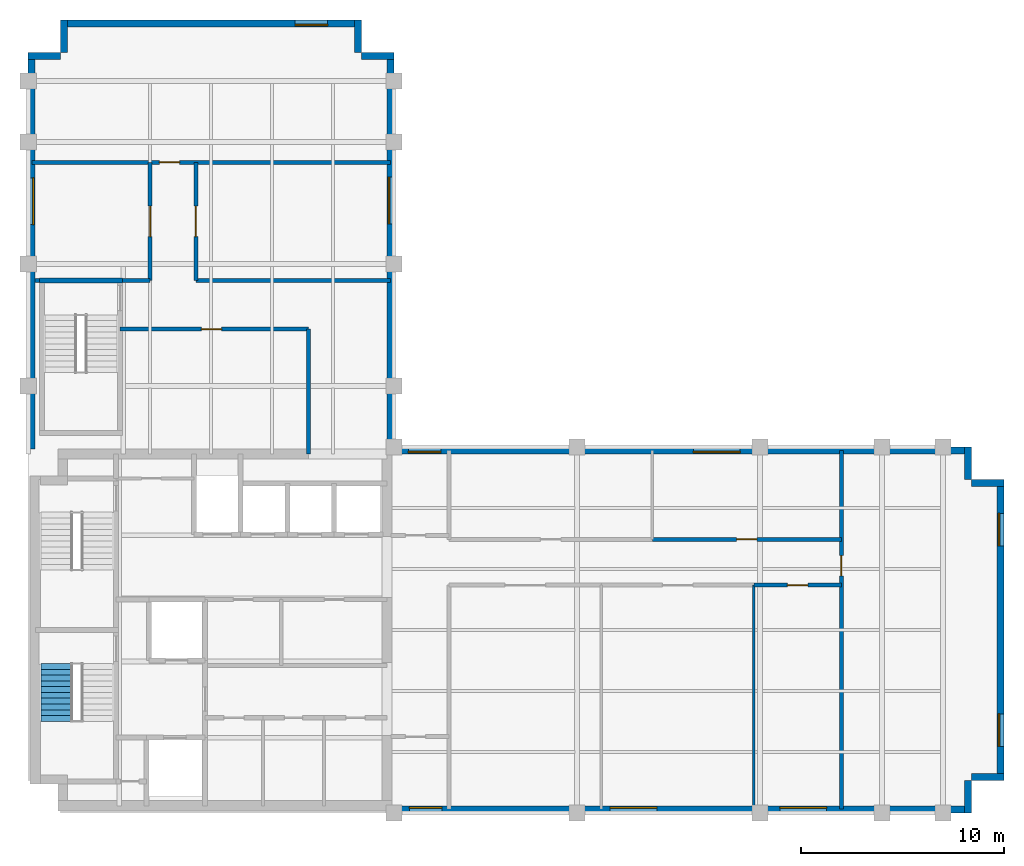
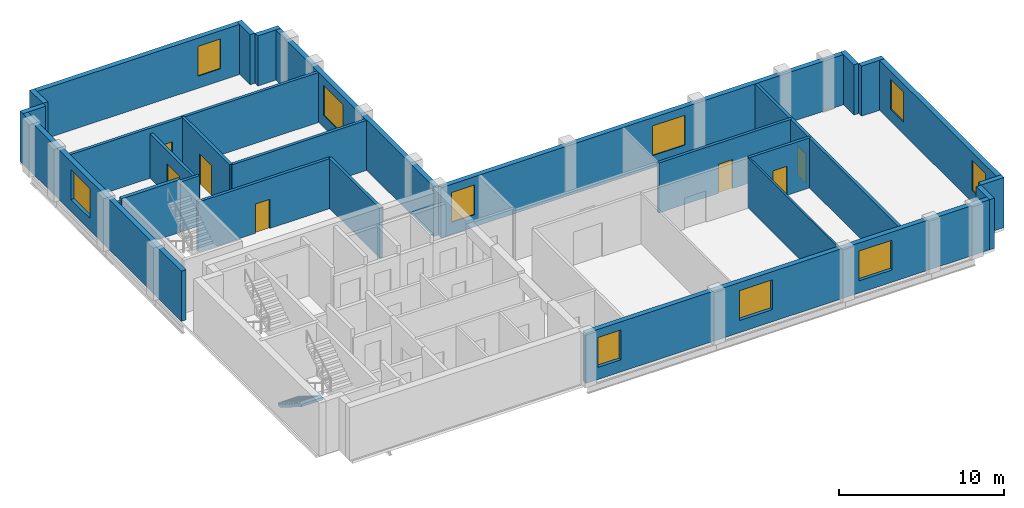
# One storey, part 4 of 6: 27 walls, 10 windows, 7 doors, 1 stair flight, 17 openings, 1 element without a shape of its own.
"""IFC4 building model written with IfcOpenShell, lengths in metres."""

from ifc_helpers import new_model, si_unit, direction, frame, frame_2d, origin, place, context, subcontext, project, spatial, polyline, rectangle, outline, extrude, material, layer, layer_set, type_object, element, fill, aggregate, save


model = new_model("IFC4")

# Units and contexts
model_context = context("Model", 3, precision=1e-05, world=origin(), true_north=direction((0.0, 1.0)))
body_context = subcontext(model_context, "Body", "Model", "MODEL_VIEW")
ifc_project = project(units=[si_unit("LENGTHUNIT", "METRE"), si_unit("AREAUNIT", "SQUARE_METRE"), si_unit("VOLUMEUNIT", "CUBIC_METRE"), si_unit("PLANEANGLEUNIT", "RADIAN"), si_unit("MASSUNIT", "GRAM", prefix="KILO")], contexts=[model_context])

# Site, building, storey
site_placement = place(None, origin())
site = spatial("IfcSite", under=ifc_project, at=site_placement, CompositionType="ELEMENT")
building_placement = place(site_placement, origin())
building = spatial("IfcBuilding", under=site, at=building_placement, Name="Mawjdan Bourse Tower", CompositionType="ELEMENT")
storey_placement = place(building_placement, frame((0.0, 0.0, 243.0)))
storey = spatial("IfcBuildingStorey", under=building, at=storey_placement, Name="L59", CompositionType="ELEMENT", Elevation=243.0)

# Wall, openings, windows
ifc_material_1 = material(Name="Brick Masonry Buff", Category="masonry")
ifc_layer_1 = layer(ifc_material_1, 0.340087890625)
ifc_layer_set_1 = layer_set([ifc_layer_1], Name="Brick Masonry Buff")
wall_type_1 = type_object("IfcWallType", Name="WL-BRK-SPN-340", PredefinedType="STANDARD", material=ifc_layer_set_1)
wall_1_placement = place(storey_placement, frame((23.89990234375, 3.169921875, 0.0), z_axis=(0.0, 0.0, 1.0), x_axis=(1.0, 0.0, 0.0)))
wall_1 = element("IfcWall", 1, at=wall_1_placement, inside=storey, type_object=wall_type_1, Name="L59 Exterior Brick Wall 1", PredefinedType="STANDARD", context=body_context, shape_type="SweptSolid", body=[
    extrude(rectangle(XDim=28.5, YDim=0.340087890625, at=frame_2d((14.25, 0.0))), origin(), (0.0, 0.0, 1.0), 3.699951171875),
])
opening_1_placement = place(wall_1_placement, frame((10.72509765625, 0.0, 0.89990234375)))
opening_1 = element("IfcOpeningElement", 2, at=opening_1_placement, cuts=wall_1, Name="Opening W-L59-01", PredefinedType="OPENING", context=body_context, shape_type="SweptSolid", body=[
    extrude(rectangle(XDim=2.300048828125, YDim=2.199951171875, at=frame_2d((1.14990234375, 1.10009765625))), frame((0.0, 0.18017578125, 0.0), z_axis=(0.0, -1.0, 0.0), x_axis=(1.0, 0.0, 0.0)), (0.0, 0.0, 1.0), 0.360107421875),
])
opening_2_placement = place(wall_1_placement, frame((0.85009765625, 0.0, 0.89990234375)))
opening_2 = element("IfcOpeningElement", 3, at=opening_2_placement, cuts=wall_1, Name="Opening W-L59-07", PredefinedType="OPENING", context=body_context, shape_type="SweptSolid", body=[
    extrude(rectangle(XDim=1.60009765625, YDim=2.199951171875, at=frame_2d((0.800048828125, 1.10009765625))), frame((0.0, 0.18017578125, 0.0), z_axis=(0.0, -1.0, 0.0), x_axis=(1.0, 0.0, 0.0)), (0.0, 0.0, 1.0), 0.360107421875),
])
opening_3_placement = place(wall_1_placement, frame((19.07470703125, 0.0, 0.89990234375)))
opening_3 = element("IfcOpeningElement", 4, at=opening_3_placement, cuts=wall_1, Name="Opening W-L59-09", PredefinedType="OPENING", context=body_context, shape_type="SweptSolid", body=[
    extrude(rectangle(XDim=2.300048828125, YDim=2.199951171875, at=frame_2d((1.14990234375, 1.10009765625))), frame((0.0, 0.18017578125, 0.0), z_axis=(0.0, -1.0, 0.0), x_axis=(1.0, 0.0, 0.0)), (0.0, 0.0, 1.0), 0.360107421875),
])
ifc_material_2 = material(Name="Solar-Control Clear Double Glazing", Category="glass")
window_type_1 = type_object("IfcWindowType", Name="WN-Z3-1600", PartitioningType="SINGLE_PANEL", PredefinedType="WINDOW", material=ifc_material_2)
window_1_placement = place(opening_2_placement, origin())
window_1 = element("IfcWindow", 5, at=window_1_placement, inside=storey, type_object=window_type_1, Name="L59 Deep-Set Masonry Window W-L59-07", OverallHeight=2.199951171875, OverallWidth=1.60009765625, PartitioningType="SINGLE_PANEL", PredefinedType="WINDOW", context=body_context, shape_type="SweptSolid", body=[
    extrude(rectangle(XDim=1.60009765625, YDim=2.199951171875, at=frame_2d((0.800048828125, 1.10009765625))), frame((0.0, 0.110107421875, 0.0), z_axis=(0.0, -1.0, 0.0), x_axis=(1.0, 0.0, 0.0)), (0.0, 0.0, 1.0), 0.06005859375),
])
fill(opening_2, window_1)
window_type_2 = type_object("IfcWindowType", Name="WN-Z3-2300", PartitioningType="SINGLE_PANEL", PredefinedType="WINDOW", material=ifc_material_2)
window_2_placement = place(opening_1_placement, origin())
window_2 = element("IfcWindow", 6, at=window_2_placement, inside=storey, type_object=window_type_2, Name="L59 Deep-Set Masonry Window W-L59-01", OverallHeight=2.199951171875, OverallWidth=2.300048828125, PartitioningType="SINGLE_PANEL", PredefinedType="WINDOW", context=body_context, shape_type="SweptSolid", body=[
    extrude(rectangle(XDim=2.300048828125, YDim=2.199951171875, at=frame_2d((1.14990234375, 1.10009765625))), frame((0.0, 0.110107421875, 0.0), z_axis=(0.0, -1.0, 0.0), x_axis=(1.0, 0.0, 0.0)), (0.0, 0.0, 1.0), 0.06005859375),
])
fill(opening_1, window_2)
window_3_placement = place(opening_3_placement, origin())
window_3 = element("IfcWindow", 7, at=window_3_placement, inside=storey, type_object=window_type_2, Name="L59 Deep-Set Masonry Window W-L59-09", OverallHeight=2.199951171875, OverallWidth=2.300048828125, PartitioningType="SINGLE_PANEL", PredefinedType="WINDOW", context=body_context, shape_type="SweptSolid", body=[
    extrude(rectangle(XDim=2.300048828125, YDim=2.199951171875, at=frame_2d((1.14990234375, 1.10009765625))), frame((0.0, 0.110107421875, 0.0), z_axis=(0.0, -1.0, 0.0), x_axis=(1.0, 0.0, 0.0)), (0.0, 0.0, 1.0), 0.06005859375),
])
fill(opening_3, window_3)

# Walls
for number, where, z_axis, x_axis, name in (
    (8, (52.22998046875, 3.0, 0.0), (0.0, 0.0, 1.0), (0.0, 1.0, 0.0), "L59 Exterior Brick Wall 2"),
    (9, (52.39990234375, 4.77001953125, 0.0), (0.0, 0.0, 1.0), (1.0, 0.0, 0.0), "L59 Exterior Brick Wall 3"),
):
    element("IfcWall", number, at=place(storey_placement, frame(where, z_axis=z_axis, x_axis=x_axis)), inside=storey, type_object=wall_type_1, Name=name, PredefinedType="STANDARD", context=body_context, shape_type="SweptSolid", body=[
        extrude(rectangle(XDim=1.60009765625, YDim=0.340087890625, at=frame_2d((0.800048828125, 0.0))), origin(), (0.0, 0.0, 1.0), 3.699951171875),
    ])

# Wall, openings, windows
wall_2_placement = place(storey_placement, frame((53.830078125, 4.60009765625, 0.0), z_axis=(0.0, 0.0, 1.0), x_axis=(0.0, 1.0, 0.0)))
wall_2 = element("IfcWall", 10, at=wall_2_placement, inside=storey, type_object=wall_type_1, Name="L59 Exterior Brick Wall 4", PredefinedType="STANDARD", context=body_context, shape_type="SweptSolid", body=[
    extrude(rectangle(XDim=14.7998046875, YDim=0.340087890625, at=frame_2d((7.39990234375, 0.0))), origin(), (0.0, 0.0, 1.0), 3.699951171875),
])
opening_4_placement = place(wall_2_placement, frame((1.666748046875, 0.0, 0.89990234375)))
opening_4 = element("IfcOpeningElement", 11, at=opening_4_placement, cuts=wall_2, Name="Opening W-L59-02", PredefinedType="OPENING", context=body_context, shape_type="SweptSolid", body=[
    extrude(rectangle(XDim=1.60009765625, YDim=2.199951171875, at=frame_2d((0.800048828125, 1.10009765625))), frame((0.0, 0.18017578125, 0.0), z_axis=(0.0, -1.0, 0.0), x_axis=(1.0, 0.0, 0.0)), (0.0, 0.0, 1.0), 0.360107421875),
])
opening_5_placement = place(wall_2_placement, frame((11.533203125, 0.0, 0.89990234375)))
opening_5 = element("IfcOpeningElement", 12, at=opening_5_placement, cuts=wall_2, Name="Opening W-L59-03", PredefinedType="OPENING", context=body_context, shape_type="SweptSolid", body=[
    extrude(rectangle(XDim=1.60009765625, YDim=2.199951171875, at=frame_2d((0.800048828125, 1.10009765625))), frame((0.0, 0.18017578125, 0.0), z_axis=(0.0, -1.0, 0.0), x_axis=(1.0, 0.0, 0.0)), (0.0, 0.0, 1.0), 0.360107421875),
])
window_4_placement = place(opening_4_placement, origin())
window_4 = element("IfcWindow", 13, at=window_4_placement, inside=storey, type_object=window_type_1, Name="L59 Deep-Set Masonry Window W-L59-02", OverallHeight=2.199951171875, OverallWidth=1.60009765625, PartitioningType="SINGLE_PANEL", PredefinedType="WINDOW", context=body_context, shape_type="SweptSolid", body=[
    extrude(rectangle(XDim=1.60009765625, YDim=2.199951171875, at=frame_2d((0.800048828125, 1.10009765625))), frame((0.0, 0.110107421875, 0.0), z_axis=(0.0, -1.0, 0.0), x_axis=(1.0, 0.0, 0.0)), (0.0, 0.0, 1.0), 0.06005859375),
])
fill(opening_4, window_4)
window_5_placement = place(opening_5_placement, origin())
window_5 = element("IfcWindow", 14, at=window_5_placement, inside=storey, type_object=window_type_1, Name="L59 Deep-Set Masonry Window W-L59-03", OverallHeight=2.199951171875, OverallWidth=1.60009765625, PartitioningType="SINGLE_PANEL", PredefinedType="WINDOW", context=body_context, shape_type="SweptSolid", body=[
    extrude(rectangle(XDim=1.60009765625, YDim=2.199951171875, at=frame_2d((0.800048828125, 1.10009765625))), frame((0.0, 0.110107421875, 0.0), z_axis=(0.0, -1.0, 0.0), x_axis=(1.0, 0.0, 0.0)), (0.0, 0.0, 1.0), 0.06005859375),
])
fill(opening_5, window_5)

# Walls
for number, where, z_axis, x_axis, name in (
    (15, (54.0, 19.22998046875, 0.0), (0.0, 0.0, 1.0), (-1.0, 0.0, 0.0), "L59 Exterior Brick Wall 5"),
    (16, (52.22998046875, 19.39990234375, 0.0), (0.0, 0.0, 1.0), (0.0, 1.0, 0.0), "L59 Exterior Brick Wall 6"),
):
    element("IfcWall", number, at=place(storey_placement, frame(where, z_axis=z_axis, x_axis=x_axis)), inside=storey, type_object=wall_type_1, Name=name, PredefinedType="STANDARD", context=body_context, shape_type="SweptSolid", body=[
        extrude(rectangle(XDim=1.60009765625, YDim=0.340087890625, at=frame_2d((0.800048828125, 0.0))), origin(), (0.0, 0.0, 1.0), 3.699951171875),
    ])

# Wall, openings, windows
wall_3_placement = place(storey_placement, frame((52.39990234375, 20.830078125, 0.0), z_axis=(0.0, 0.0, 1.0), x_axis=(-1.0, 0.0, 0.0)))
wall_3 = element("IfcWall", 17, at=wall_3_placement, inside=storey, type_object=wall_type_1, Name="L59 Exterior Brick Wall 7", PredefinedType="STANDARD", context=body_context, shape_type="SweptSolid", body=[
    extrude(rectangle(XDim=28.39990234375, YDim=0.340087890625, at=frame_2d((14.199951171875, 0.0))), origin(), (0.0, 0.0, 1.0), 3.699951171875),
])
opening_6_placement = place(wall_3_placement, frame((26.095703125, 0.0, 0.89990234375)))
opening_6 = element("IfcOpeningElement", 18, at=opening_6_placement, cuts=wall_3, Name="Opening W-L59-08", PredefinedType="OPENING", context=body_context, shape_type="SweptSolid", body=[
    extrude(rectangle(XDim=1.60009765625, YDim=2.199951171875, at=frame_2d((0.800048828125, 1.10009765625))), frame((0.0, 0.18017578125, 0.0), z_axis=(0.0, -1.0, 0.0), x_axis=(1.0, 0.0, 0.0)), (0.0, 0.0, 1.0), 0.360107421875),
])
opening_7_placement = place(wall_3_placement, frame((11.374755859375, 0.0, 0.89990234375)))
opening_7 = element("IfcOpeningElement", 19, at=opening_7_placement, cuts=wall_3, Name="Opening W-L59-10", PredefinedType="OPENING", context=body_context, shape_type="SweptSolid", body=[
    extrude(rectangle(XDim=2.300048828125, YDim=2.199951171875, at=frame_2d((1.14990234375, 1.10009765625))), frame((0.0, 0.18017578125, 0.0), z_axis=(0.0, -1.0, 0.0), x_axis=(1.0, 0.0, 0.0)), (0.0, 0.0, 1.0), 0.360107421875),
])
window_6_placement = place(opening_6_placement, origin())
window_6 = element("IfcWindow", 20, at=window_6_placement, inside=storey, type_object=window_type_1, Name="L59 Deep-Set Masonry Window W-L59-08", OverallHeight=2.199951171875, OverallWidth=1.60009765625, PartitioningType="SINGLE_PANEL", PredefinedType="WINDOW", context=body_context, shape_type="SweptSolid", body=[
    extrude(rectangle(XDim=1.60009765625, YDim=2.199951171875, at=frame_2d((0.800048828125, 1.10009765625))), frame((0.0, 0.110107421875, 0.0), z_axis=(0.0, -1.0, 0.0), x_axis=(1.0, 0.0, 0.0)), (0.0, 0.0, 1.0), 0.06005859375),
])
fill(opening_6, window_6)
window_7_placement = place(opening_7_placement, origin())
window_7 = element("IfcWindow", 21, at=window_7_placement, inside=storey, type_object=window_type_2, Name="L59 Deep-Set Masonry Window W-L59-10", OverallHeight=2.199951171875, OverallWidth=2.300048828125, PartitioningType="SINGLE_PANEL", PredefinedType="WINDOW", context=body_context, shape_type="SweptSolid", body=[
    extrude(rectangle(XDim=2.300048828125, YDim=2.199951171875, at=frame_2d((1.14990234375, 1.10009765625))), frame((0.0, 0.110107421875, 0.0), z_axis=(0.0, -1.0, 0.0), x_axis=(1.0, 0.0, 0.0)), (0.0, 0.0, 1.0), 0.06005859375),
])
fill(opening_7, window_7)

# Wall, opening, window
wall_4_placement = place(storey_placement, frame((23.830078125, 21.0, 0.0), z_axis=(0.0, 0.0, 1.0), x_axis=(0.0, 1.0, 0.0)))
wall_4 = element("IfcWall", 22, at=wall_4_placement, inside=storey, type_object=wall_type_1, Name="L59 Exterior Brick Wall 8", PredefinedType="STANDARD", context=body_context, shape_type="SweptSolid", body=[
    extrude(rectangle(XDim=19.39990234375, YDim=0.340087890625, at=frame_2d((9.699951171875, 0.0))), origin(), (0.0, 0.0, 1.0), 3.699951171875),
])
opening_8_placement = place(wall_4_placement, frame((10.97509765625, 0.0, 0.89990234375)))
opening_8 = element("IfcOpeningElement", 23, at=opening_8_placement, cuts=wall_4, Name="Opening W-L59-04", PredefinedType="OPENING", context=body_context, shape_type="SweptSolid", body=[
    extrude(rectangle(XDim=2.300048828125, YDim=2.199951171875, at=frame_2d((1.14990234375, 1.10009765625))), frame((0.0, 0.18017578125, 0.0), z_axis=(0.0, -1.0, 0.0), x_axis=(1.0, 0.0, 0.0)), (0.0, 0.0, 1.0), 0.360107421875),
])
window_8_placement = place(opening_8_placement, origin())
window_8 = element("IfcWindow", 24, at=window_8_placement, inside=storey, type_object=window_type_2, Name="L59 Deep-Set Masonry Window W-L59-04", OverallHeight=2.199951171875, OverallWidth=2.300048828125, PartitioningType="SINGLE_PANEL", PredefinedType="WINDOW", context=body_context, shape_type="SweptSolid", body=[
    extrude(rectangle(XDim=2.300048828125, YDim=2.199951171875, at=frame_2d((1.14990234375, 1.10009765625))), frame((0.0, 0.110107421875, 0.0), z_axis=(0.0, -1.0, 0.0), x_axis=(1.0, 0.0, 0.0)), (0.0, 0.0, 1.0), 0.06005859375),
])
fill(opening_8, window_8)

# Walls
for number, where, z_axis, x_axis, name in (
    (25, (24.0, 40.22998046875, 0.0), (0.0, 0.0, 1.0), (-1.0, 0.0, 0.0), "L59 Exterior Brick Wall 9"),
    (26, (22.22998046875, 40.39990234375, 0.0), (0.0, 0.0, 1.0), (0.0, 1.0, 0.0), "L59 Exterior Brick Wall 10"),
):
    element("IfcWall", number, at=place(storey_placement, frame(where, z_axis=z_axis, x_axis=x_axis)), inside=storey, type_object=wall_type_1, Name=name, PredefinedType="STANDARD", context=body_context, shape_type="SweptSolid", body=[
        extrude(rectangle(XDim=1.60009765625, YDim=0.340087890625, at=frame_2d((0.800048828125, 0.0))), origin(), (0.0, 0.0, 1.0), 3.699951171875),
    ])

# Wall, opening, window
wall_5_placement = place(storey_placement, frame((22.39990234375, 41.830078125, 0.0), z_axis=(0.0, 0.0, 1.0), x_axis=(-1.0, 0.0, 0.0)))
wall_5 = element("IfcWall", 27, at=wall_5_placement, inside=storey, type_object=wall_type_1, Name="L59 Exterior Brick Wall 11", PredefinedType="STANDARD", context=body_context, shape_type="SweptSolid", body=[
    extrude(rectangle(XDim=14.7998046875, YDim=0.340087890625, at=frame_2d((7.39990234375, 0.0))), origin(), (0.0, 0.0, 1.0), 3.699951171875),
])
opening_9_placement = place(wall_5_placement, frame((1.666748046875, 0.0, 0.89990234375)))
opening_9 = element("IfcOpeningElement", 28, at=opening_9_placement, cuts=wall_5, Name="Opening W-L59-05", PredefinedType="OPENING", context=body_context, shape_type="SweptSolid", body=[
    extrude(rectangle(XDim=1.60009765625, YDim=2.199951171875, at=frame_2d((0.800048828125, 1.10009765625))), frame((0.0, 0.18017578125, 0.0), z_axis=(0.0, -1.0, 0.0), x_axis=(1.0, 0.0, 0.0)), (0.0, 0.0, 1.0), 0.360107421875),
])
window_9_placement = place(opening_9_placement, origin())
window_9 = element("IfcWindow", 29, at=window_9_placement, inside=storey, type_object=window_type_1, Name="L59 Deep-Set Masonry Window W-L59-05", OverallHeight=2.199951171875, OverallWidth=1.60009765625, PartitioningType="SINGLE_PANEL", PredefinedType="WINDOW", context=body_context, shape_type="SweptSolid", body=[
    extrude(rectangle(XDim=1.60009765625, YDim=2.199951171875, at=frame_2d((0.800048828125, 1.10009765625))), frame((0.0, 0.110107421875, 0.0), z_axis=(0.0, -1.0, 0.0), x_axis=(1.0, 0.0, 0.0)), (0.0, 0.0, 1.0), 0.06005859375),
])
fill(opening_9, window_9)

# Walls
for number, where, z_axis, x_axis, name in (
    (30, (7.77001953125, 42.0, 0.0), (0.0, 0.0, 1.0), (0.0, -1.0, 0.0), "L59 Exterior Brick Wall 12"),
    (31, (7.60009765625, 40.22998046875, 0.0), (0.0, 0.0, 1.0), (-1.0, 0.0, 0.0), "L59 Exterior Brick Wall 13"),
):
    element("IfcWall", number, at=place(storey_placement, frame(where, z_axis=z_axis, x_axis=x_axis)), inside=storey, type_object=wall_type_1, Name=name, PredefinedType="STANDARD", context=body_context, shape_type="SweptSolid", body=[
        extrude(rectangle(XDim=1.60009765625, YDim=0.340087890625, at=frame_2d((0.800048828125, 0.0))), origin(), (0.0, 0.0, 1.0), 3.699951171875),
    ])

# Wall, opening, window
wall_6_placement = place(storey_placement, frame((6.169921875, 40.39990234375, 0.0), z_axis=(0.0, 0.0, 1.0), x_axis=(0.0, -1.0, 0.0)))
wall_6 = element("IfcWall", 32, at=wall_6_placement, inside=storey, type_object=wall_type_1, Name="L59 Exterior Brick Wall 14", PredefinedType="STANDARD", context=body_context, shape_type="SweptSolid", body=[
    extrude(rectangle(XDim=19.5, YDim=0.340087890625, at=frame_2d((9.75, 0.0))), origin(), (0.0, 0.0, 1.0), 3.699951171875),
])
opening_10_placement = place(wall_6_placement, frame((6.16259765625, 0.0, 0.89990234375)))
opening_10 = element("IfcOpeningElement", 33, at=opening_10_placement, cuts=wall_6, Name="Opening W-L59-06", PredefinedType="OPENING", context=body_context, shape_type="SweptSolid", body=[
    extrude(rectangle(XDim=2.300048828125, YDim=2.199951171875, at=frame_2d((1.14990234375, 1.10009765625))), frame((0.0, 0.18017578125, 0.0), z_axis=(0.0, -1.0, 0.0), x_axis=(1.0, 0.0, 0.0)), (0.0, 0.0, 1.0), 0.360107421875),
])
window_10_placement = place(opening_10_placement, origin())
window_10 = element("IfcWindow", 34, at=window_10_placement, inside=storey, type_object=window_type_2, Name="L59 Deep-Set Masonry Window W-L59-06", OverallHeight=2.199951171875, OverallWidth=2.300048828125, PartitioningType="SINGLE_PANEL", PredefinedType="WINDOW", context=body_context, shape_type="SweptSolid", body=[
    extrude(rectangle(XDim=2.300048828125, YDim=2.199951171875, at=frame_2d((1.14990234375, 1.10009765625))), frame((0.0, 0.110107421875, 0.0), z_axis=(0.0, -1.0, 0.0), x_axis=(1.0, 0.0, 0.0)), (0.0, 0.0, 1.0), 0.06005859375),
])
fill(opening_10, window_10)

# Wall, opening, door
ifc_material_3 = material(Name="Gypsum Fireboard Assembly")
ifc_layer_2 = layer(ifc_material_3, 0.199951171875)
ifc_layer_set_2 = layer_set([ifc_layer_2], Name="Gypsum Fireboard Assembly")
wall_type_2 = type_object("IfcWallType", Name="WL-CMP-200", PredefinedType="PARTITIONING", material=ifc_layer_set_2)
wall_7_placement = place(storey_placement, frame((41.699951171875, 14.199951171875, 0.0), z_axis=(0.0, 0.0, 1.0), x_axis=(1.0, 0.0, 0.0)))
wall_7 = element("IfcWall", 35, at=wall_7_placement, inside=storey, type_object=wall_type_2, Name="L59 Executive Office Corridor Wall", PredefinedType="PARTITIONING", context=body_context, shape_type="SweptSolid", body=[
    extrude(rectangle(XDim=4.300048828125, YDim=0.199951171875, at=frame_2d((2.14990234375, 0.0))), origin(), (0.0, 0.0, 1.0), 3.68994140625),
])
opening_11_placement = place(wall_7_placement, frame((1.64990234375, 0.0, 0.0)))
opening_11 = element("IfcOpeningElement", 36, at=opening_11_placement, cuts=wall_7, Name="Opening D-L59-24", PredefinedType="OPENING", context=body_context, shape_type="SweptSolid", body=[
    extrude(rectangle(XDim=1.0, YDim=2.14990234375, at=frame_2d((0.5, 1.074951171875))), frame((0.0, 0.10986328125, 0.0), z_axis=(0.0, -1.0, 0.0), x_axis=(1.0, 0.0, 0.0)), (0.0, 0.0, 1.0), 0.219970703125),
])
ifc_material_4 = material(Name="Hardwood Acoustic Leaf", Category="wood")
door_type_1 = type_object("IfcDoorType", Name="DR-OFC-1000", OperationType="NOTDEFINED", PredefinedType="DOOR", material=ifc_material_4)
door_1_placement = place(opening_11_placement, origin())
door_1 = element("IfcDoor", 37, at=door_1_placement, inside=storey, type_object=door_type_1, Name="L59 Executive Office Door D-L59-24", OperationType="SINGLE_SWING_LEFT", OverallHeight=2.14990234375, OverallWidth=1.0, PredefinedType="DOOR", context=body_context, shape_type="SweptSolid", body=[
    extrude(rectangle(XDim=1.0, YDim=2.14990234375, at=frame_2d((0.5, 1.074951171875))), frame((0.0, 0.02490234375, 0.0), z_axis=(0.0, -1.0, 0.0), x_axis=(1.0, 0.0, 0.0)), (0.0, 0.0, 1.0), 0.050048828125),
])
fill(opening_11, door_1)

wall_8_placement = place(storey_placement, frame((36.699951171875, 16.449951171875, 0.0), z_axis=(0.0, 0.0, 1.0), x_axis=(1.0, 0.0, 0.0)))
wall_8 = element("IfcWall", 38, at=wall_8_placement, inside=storey, type_object=wall_type_2, Name="L59 Cross-Border Clearing Suite Corridor Wall", PredefinedType="PARTITIONING", context=body_context, shape_type="SweptSolid", body=[
    extrude(rectangle(XDim=9.300048828125, YDim=0.199951171875, at=frame_2d((4.64990234375, 0.0))), origin(), (0.0, 0.0, 1.0), 3.68994140625),
])
opening_12_placement = place(wall_8_placement, frame((4.14990234375, 0.0, 0.0)))
opening_12 = element("IfcOpeningElement", 39, at=opening_12_placement, cuts=wall_8, Name="Opening D-L59-26", PredefinedType="OPENING", context=body_context, shape_type="SweptSolid", body=[
    extrude(rectangle(XDim=1.0, YDim=2.14990234375, at=frame_2d((0.5, 1.074951171875))), frame((0.0, 0.10986328125, 0.0), z_axis=(0.0, -1.0, 0.0), x_axis=(1.0, 0.0, 0.0)), (0.0, 0.0, 1.0), 0.219970703125),
])
door_2_placement = place(opening_12_placement, origin())
door_2 = element("IfcDoor", 40, at=door_2_placement, inside=storey, type_object=door_type_1, Name="L59 Cross-Border Clearing Suite Door D-L59-26", OperationType="SINGLE_SWING_LEFT", OverallHeight=2.14990234375, OverallWidth=1.0, PredefinedType="DOOR", context=body_context, shape_type="SweptSolid", body=[
    extrude(rectangle(XDim=1.0, YDim=2.14990234375, at=frame_2d((0.5, 1.074951171875))), frame((0.0, 0.02490234375, 0.0), z_axis=(0.0, -1.0, 0.0), x_axis=(1.0, 0.0, 0.0)), (0.0, 0.0, 1.0), 0.050048828125),
])
fill(opening_12, door_2)

wall_9_placement = place(storey_placement, frame((46.0, 3.179931640625, 0.0), z_axis=(0.0, 0.0, 1.0), x_axis=(0.0, 1.0, 0.0)))
wall_9 = element("IfcWall", 41, at=wall_9_placement, inside=storey, type_object=wall_type_2, Name="L59 East Tip Full Cross Wall", PredefinedType="PARTITIONING", context=body_context, shape_type="SweptSolid", body=[
    extrude(rectangle(XDim=17.64013671875, YDim=0.199951171875, at=frame_2d((8.820068359375, 0.0))), origin(), (0.0, 0.0, 1.0), 3.68994140625),
])
opening_13_placement = place(wall_9_placement, frame((11.47509765625, 0.0, 0.0)))
opening_13 = element("IfcOpeningElement", 42, at=opening_13_placement, cuts=wall_9, Name="Opening D-L59-27", PredefinedType="OPENING", context=body_context, shape_type="SweptSolid", body=[
    extrude(rectangle(XDim=1.0, YDim=2.14990234375, at=frame_2d((0.5, 1.074951171875))), frame((0.0, 0.10986328125, 0.0), z_axis=(0.0, -1.0, 0.0), x_axis=(1.0, 0.0, 0.0)), (0.0, 0.0, 1.0), 0.219970703125),
])
door_3_placement = place(opening_13_placement, origin())
door_3 = element("IfcDoor", 43, at=door_3_placement, inside=storey, type_object=door_type_1, Name="L59 East Tip Hall Door D-L59-27", OperationType="SINGLE_SWING_RIGHT", OverallHeight=2.14990234375, OverallWidth=1.0, PredefinedType="DOOR", context=body_context, shape_type="SweptSolid", body=[
    extrude(rectangle(XDim=1.0, YDim=2.14990234375, at=frame_2d((0.5, 1.074951171875))), frame((0.0, 0.02490234375, 0.0), z_axis=(0.0, -1.0, 0.0), x_axis=(1.0, 0.0, 0.0)), (0.0, 0.0, 1.0), 0.050048828125),
])
fill(opening_13, door_3)

wall_10_placement = place(storey_placement, frame((10.52001953125, 26.800048828125, 0.0), z_axis=(0.0, 0.0, 1.0), x_axis=(1.0, 0.0, 0.0)))
wall_10 = element("IfcWall", 44, at=wall_10_placement, inside=storey, type_object=wall_type_2, Name="L59 North Throat North Wall", PredefinedType="PARTITIONING", context=body_context, shape_type="SweptSolid", body=[
    extrude(rectangle(XDim=9.280029296875, YDim=0.199951171875, at=frame_2d((4.64013671875, 0.0))), origin(), (0.0, 0.0, 1.0), 3.68994140625),
])
opening_14_placement = place(wall_10_placement, frame((4.0, 0.0, 0.0)))
opening_14 = element("IfcOpeningElement", 45, at=opening_14_placement, cuts=wall_10, Name="Opening D-L59-28", PredefinedType="OPENING", context=body_context, shape_type="SweptSolid", body=[
    extrude(rectangle(XDim=1.0, YDim=2.14990234375, at=frame_2d((0.5, 1.074951171875))), frame((0.0, 0.10986328125, 0.0), z_axis=(0.0, -1.0, 0.0), x_axis=(1.0, 0.0, 0.0)), (0.0, 0.0, 1.0), 0.219970703125),
])
door_4_placement = place(opening_14_placement, origin())
door_4 = element("IfcDoor", 46, at=door_4_placement, inside=storey, type_object=door_type_1, Name="L59 North Throat Suite Door D-L59-28", OperationType="SINGLE_SWING_LEFT", OverallHeight=2.14990234375, OverallWidth=1.0, PredefinedType="DOOR", context=body_context, shape_type="SweptSolid", body=[
    extrude(rectangle(XDim=1.0, YDim=2.14990234375, at=frame_2d((0.5, 1.074951171875))), frame((0.0, 0.02490234375, 0.0), z_axis=(0.0, -1.0, 0.0), x_axis=(1.0, 0.0, 0.0)), (0.0, 0.0, 1.0), 0.050048828125),
])
fill(opening_14, door_4)

# Walls
wall_11_placement = place(storey_placement, frame((19.800048828125, 20.64990234375, 0.0), z_axis=(0.0, 0.0, 1.0), x_axis=(0.0, 1.0, 0.0)))
element("IfcWall", 47, at=wall_11_placement, inside=storey, type_object=wall_type_2, Name="L59 North Throat East Wall", PredefinedType="PARTITIONING", context=body_context, shape_type="SweptSolid", body=[
    extrude(rectangle(XDim=6.150146484375, YDim=0.199951171875, at=frame_2d((3.0751953125, 0.0))), origin(), (0.0, 0.0, 1.0), 3.68994140625),
])
wall_12_placement = place(storey_placement, frame((6.340087890625, 29.179931640625, 0.0), z_axis=(0.0, 0.0, 1.0), x_axis=(1.0, 0.0, 0.0)))
element("IfcWall", 48, at=wall_12_placement, inside=storey, type_object=wall_type_2, Name="L59 North West Band ST3 West Return", PredefinedType="PARTITIONING", context=body_context, shape_type="SweptSolid", body=[
    extrude(rectangle(XDim=0.21484375, YDim=0.199951171875, at=frame_2d((0.107421875, 0.0))), origin(), (0.0, 0.0, 1.0), 3.68994140625),
])
wall_13_placement = place(storey_placement, frame((10.6298828125, 29.179931640625, 0.0), z_axis=(0.0, 0.0, 1.0), x_axis=(1.0, 0.0, 0.0)))
element("IfcWall", 49, at=wall_13_placement, inside=storey, type_object=wall_type_2, Name="L59 North West Band South Wall", PredefinedType="PARTITIONING", context=body_context, shape_type="SweptSolid", body=[
    extrude(rectangle(XDim=1.3701171875, YDim=0.199951171875, at=frame_2d((0.68505859375, 0.0))), origin(), (0.0, 0.0, 1.0), 3.68994140625),
])
wall_14_placement = place(storey_placement, frame((14.25, 29.179931640625, 0.0), z_axis=(0.0, 0.0, 1.0), x_axis=(1.0, 0.0, 0.0)))
element("IfcWall", 50, at=wall_14_placement, inside=storey, type_object=wall_type_2, Name="L59 North East Band South Wall", PredefinedType="PARTITIONING", context=body_context, shape_type="SweptSolid", body=[
    extrude(rectangle(XDim=9.570068359375, YDim=0.199951171875, at=frame_2d((4.78515625, 0.0))), origin(), (0.0, 0.0, 1.0), 3.68994140625),
])

# Wall, opening, door
wall_15_placement = place(storey_placement, frame((12.0, 29.179931640625, 0.0), z_axis=(0.0, 0.0, 1.0), x_axis=(0.0, 1.0, 0.0)))
wall_15 = element("IfcWall", 51, at=wall_15_placement, inside=storey, type_object=wall_type_2, Name="L59 Conference Room Corridor Wall", PredefinedType="PARTITIONING", context=body_context, shape_type="SweptSolid", body=[
    extrude(rectangle(XDim=5.820068359375, YDim=0.199951171875, at=frame_2d((2.91015625, 0.0))), origin(), (0.0, 0.0, 1.0), 3.285888671875),
])
opening_15_placement = place(wall_15_placement, frame((2.159912109375, 0.0, 0.0)))
opening_15 = element("IfcOpeningElement", 52, at=opening_15_placement, cuts=wall_15, Name="Opening D-L59-29", PredefinedType="OPENING", context=body_context, shape_type="SweptSolid", body=[
    extrude(rectangle(XDim=1.5, YDim=2.300048828125, at=frame_2d((0.75, 1.14990234375))), frame((0.0, 0.10986328125, 0.0), z_axis=(0.0, -1.0, 0.0), x_axis=(1.0, 0.0, 0.0)), (0.0, 0.0, 1.0), 0.219970703125),
])
ifc_material_5 = material(Name="Acoustic Glazed Timber", Category="wood")
door_type_2 = type_object("IfcDoorType", Name="DR-CNF-1500", OperationType="DOUBLE_DOOR_SINGLE_SWING", PredefinedType="DOOR", material=ifc_material_5)
door_5_placement = place(opening_15_placement, origin())
door_5 = element("IfcDoor", 53, at=door_5_placement, inside=storey, type_object=door_type_2, Name="L59 Conference Room Door D-L59-29", OperationType="DOUBLE_DOOR_SINGLE_SWING", OverallHeight=2.300048828125, OverallWidth=1.5, PredefinedType="DOOR", context=body_context, shape_type="SweptSolid", body=[
    extrude(rectangle(XDim=1.5, YDim=2.300048828125, at=frame_2d((0.75, 1.14990234375))), frame((0.0, 0.02490234375, 0.0), z_axis=(0.0, -1.0, 0.0), x_axis=(1.0, 0.0, 0.0)), (0.0, 0.0, 1.0), 0.050048828125),
])
fill(opening_15, door_5)

wall_16_placement = place(storey_placement, frame((14.25, 29.179931640625, 0.0), z_axis=(0.0, 0.0, 1.0), x_axis=(0.0, 1.0, 0.0)))
wall_16 = element("IfcWall", 54, at=wall_16_placement, inside=storey, type_object=wall_type_2, Name="L59 Cross-Border Clearing Suite Corridor Wall", PredefinedType="PARTITIONING", context=body_context, shape_type="SweptSolid", body=[
    extrude(rectangle(XDim=5.820068359375, YDim=0.199951171875, at=frame_2d((2.91015625, 0.0))), origin(), (0.0, 0.0, 1.0), 3.68994140625),
])
opening_16_placement = place(wall_16_placement, frame((2.159912109375, 0.0, 0.0)))
opening_16 = element("IfcOpeningElement", 55, at=opening_16_placement, cuts=wall_16, Name="Opening D-L59-30", PredefinedType="OPENING", context=body_context, shape_type="SweptSolid", body=[
    extrude(rectangle(XDim=1.5, YDim=2.300048828125, at=frame_2d((0.75, 1.14990234375))), frame((0.0, 0.10986328125, 0.0), z_axis=(0.0, -1.0, 0.0), x_axis=(1.0, 0.0, 0.0)), (0.0, 0.0, 1.0), 0.219970703125),
])
door_6_placement = place(opening_16_placement, origin())
door_6 = element("IfcDoor", 56, at=door_6_placement, inside=storey, type_object=door_type_2, Name="L59 Cross-Border Clearing Suite Door D-L59-30", OperationType="DOUBLE_DOOR_SINGLE_SWING", OverallHeight=2.300048828125, OverallWidth=1.5, PredefinedType="DOOR", context=body_context, shape_type="SweptSolid", body=[
    extrude(rectangle(XDim=1.5, YDim=2.300048828125, at=frame_2d((0.75, 1.14990234375))), frame((0.0, 0.02490234375, 0.0), z_axis=(0.0, -1.0, 0.0), x_axis=(1.0, 0.0, 0.0)), (0.0, 0.0, 1.0), 0.050048828125),
])
fill(opening_16, door_6)

wall_17_placement = place(storey_placement, frame((6.179931640625, 35.0, 0.0), z_axis=(0.0, 0.0, 1.0), x_axis=(1.0, 0.0, 0.0)))
wall_17 = element("IfcWall", 57, at=wall_17_placement, inside=storey, type_object=wall_type_2, Name="L59 North Tip Full Cross Wall", PredefinedType="PARTITIONING", context=body_context, shape_type="SweptSolid", body=[
    extrude(rectangle(XDim=17.64013671875, YDim=0.199951171875, at=frame_2d((8.820068359375, 0.0))), origin(), (0.0, 0.0, 1.0), 3.68994140625),
])
opening_17_placement = place(wall_17_placement, frame((6.27490234375, 0.0, 0.0)))
opening_17 = element("IfcOpeningElement", 58, at=opening_17_placement, cuts=wall_17, Name="Opening D-L59-31", PredefinedType="OPENING", context=body_context, shape_type="SweptSolid", body=[
    extrude(rectangle(XDim=1.0, YDim=2.14990234375, at=frame_2d((0.5, 1.074951171875))), frame((0.0, 0.10986328125, 0.0), z_axis=(0.0, -1.0, 0.0), x_axis=(1.0, 0.0, 0.0)), (0.0, 0.0, 1.0), 0.219970703125),
])
door_7_placement = place(opening_17_placement, origin())
door_7 = element("IfcDoor", 59, at=door_7_placement, inside=storey, type_object=door_type_1, Name="L59 North Tip Suite Door D-L59-31", OperationType="SINGLE_SWING_RIGHT", OverallHeight=2.14990234375, OverallWidth=1.0, PredefinedType="DOOR", context=body_context, shape_type="SweptSolid", body=[
    extrude(rectangle(XDim=1.0, YDim=2.14990234375, at=frame_2d((0.5, 1.074951171875))), frame((0.0, 0.02490234375, 0.0), z_axis=(0.0, -1.0, 0.0), x_axis=(1.0, 0.0, 0.0)), (0.0, 0.0, 1.0), 0.050048828125),
])
fill(opening_17, door_7)

# Walls
ifc_material_6 = material(Name="Gypsum Partition")
ifc_layer_3 = layer(ifc_material_6, 0.125)
ifc_layer_set_3 = layer_set([ifc_layer_3], Name="Gypsum Partition")
wall_type_3 = type_object("IfcWallType", Name="WL-PRT-125", PredefinedType="PARTITIONING", material=ifc_layer_set_3)
wall_18_placement = place(storey_placement, frame((41.699951171875, 3.179931640625, 0.0), z_axis=(0.0, 0.0, 1.0), x_axis=(0.0, 1.0, 0.0)))
element("IfcWall", 60, at=wall_18_placement, inside=storey, type_object=wall_type_3, Name="L59 Executive Office Partition", PredefinedType="PARTITIONING", context=body_context, shape_type="SweptSolid", body=[
    extrude(rectangle(XDim=11.02001953125, YDim=0.125, at=frame_2d((5.510009765625, 0.0))), origin(), (0.0, 0.0, 1.0), 3.68994140625),
])
ifc_material_7 = material(Name="Concrete C50/60", Category="concrete")
ifc_layer_4 = layer(ifc_material_7, 0.25)
ifc_layer_set_4 = layer_set([ifc_layer_4], Name="Concrete C50/60")
wall_type_4 = type_object("IfcWallType", Name="WL-STRW-250", PredefinedType="SHEAR", material=ifc_layer_set_4)
wall_19_placement = place(storey_placement, frame((6.554931640625, 29.179931640625, 0.0), z_axis=(0.0, 0.0, 1.0), x_axis=(1.0, 0.0, 0.0)))
element("IfcWall", 61, at=wall_19_placement, inside=storey, type_object=wall_type_4, Name="L59 ST3 North Shaft Wall", PredefinedType="SHEAR", context=body_context, shape_type="SweptSolid", body=[
    extrude(rectangle(XDim=4.090087890625, YDim=0.25, at=frame_2d((2.044921875, 0.0))), origin(), (0.0, 0.0, 1.0), 3.89990234375),
])

# Stair, stair flight
stair_type = type_object("IfcStairType", Name="STR-CORE-1500", PredefinedType="HALF_TURN_STAIR", material=ifc_material_7)
stair_placement = place(storey_placement, origin())
stair = element("IfcStair", 62, at=stair_placement, inside=storey, type_object=stair_type, Name="L59 Exit Stair 1 (Core South-West)", PredefinedType="HALF_TURN_STAIR")
stair_flight_type = type_object("IfcStairFlightType", Name="SFL-RC-1500", PredefinedType="STRAIGHT", material=ifc_material_7)
stair_flight_placement = place(storey_placement, frame((7.389892578125, 10.35009765625, 0.0), z_axis=(0.0, 0.0, 1.0), x_axis=(0.0, -1.0, 0.0)))
stair_flight = element("IfcStairFlight", 63, at=stair_flight_placement, type_object=stair_flight_type, Name="ST1-L59 flight 1", NumberOfRisers=11, NumberOfTreads=10, PredefinedType="STRAIGHT", RiserHeight=0.177273, TreadLength=0.285, context=body_context, shape_type="SweptSolid", body=[
    extrude(outline(polyline([(0.0, 0.0), (0.0, 0.17724609375), (0.284912109375, 0.17724609375), (0.284912109375, 0.3544921875), (0.570068359375, 0.3544921875), (0.570068359375, 0.53173828125), (0.85498046875, 0.53173828125), (0.85498046875, 0.708984375), (1.139892578125, 0.708984375), (1.139892578125, 0.886474609375), (1.425048828125, 0.886474609375), (1.425048828125, 1.063720703125), (1.7099609375, 1.063720703125), (1.7099609375, 1.240966796875), (1.9951171875, 1.240966796875), (1.9951171875, 1.418212890625), (2.280029296875, 1.418212890625), (2.280029296875, 1.595458984375), (2.56494140625, 1.595458984375), (2.56494140625, 1.772705078125), (2.85009765625, 1.772705078125), (2.85009765625, 1.949951171875), (2.85009765625, 1.58447265625), (0.302734375, 0.0), (0.0, 0.0)])), frame((0.0, 0.75, 0.0), z_axis=(0.0, -1.0, 0.0), x_axis=(1.0, 0.0, 0.0)), (0.0, 0.0, 1.0), 1.5),
])
aggregate(stair, [stair_flight])

save(model, "model.ifc")
